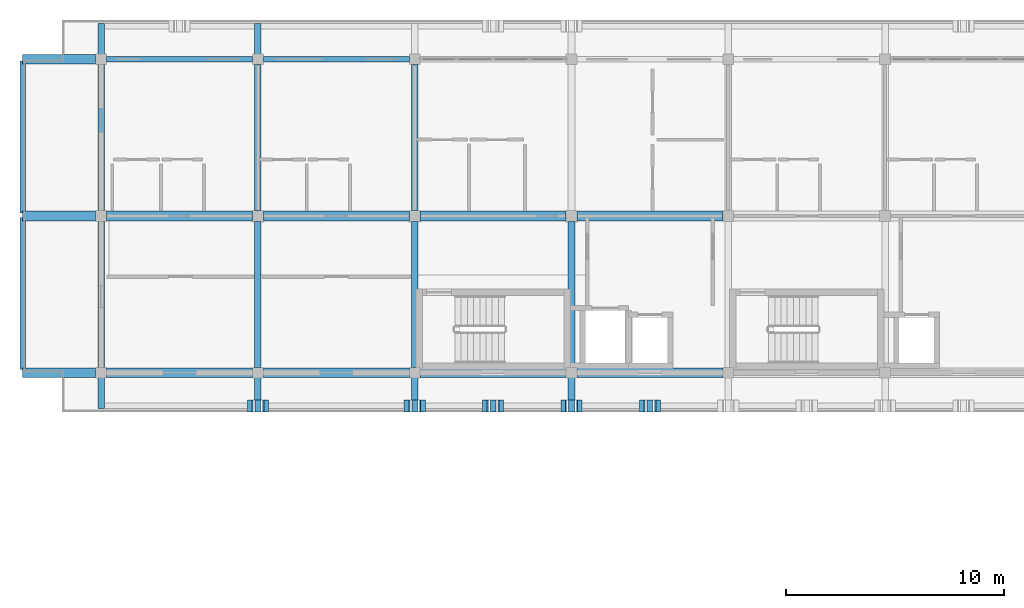
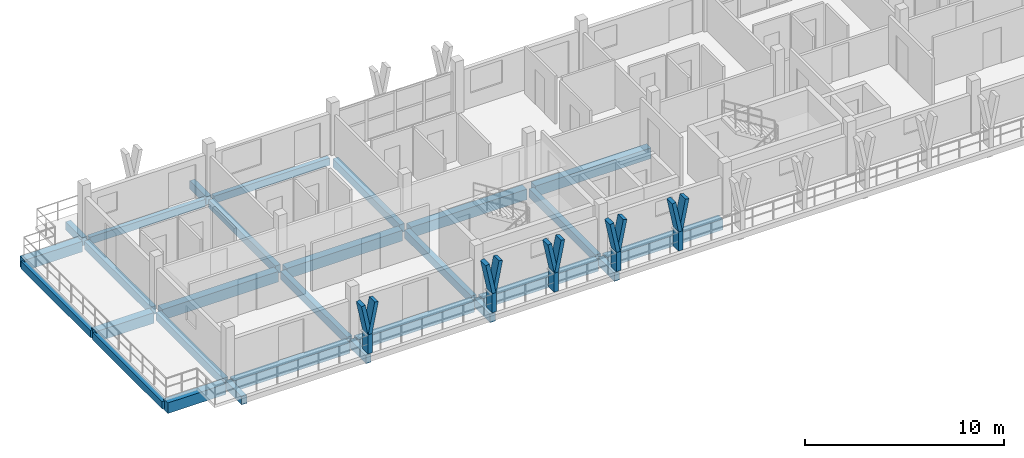
# One storey, part 3 of 32: 28 beams, 15 members.
"""IFC4 building model written with IfcOpenShell, lengths in metres."""

from ifc_helpers import new_model, si_unit, direction, frame, origin, origin_2d, place, context, subcontext, project, spatial, rectangle, extrude, material, material_profile, profile_set, type_object, element, save


model = new_model("IFC4")

# Units and contexts
model_context = context("Model", 3, precision=1e-05, world=origin(), true_north=direction((0.0, 1.0)))
body_context = subcontext(model_context, "Body", "Model", "MODEL_VIEW")
ifc_project = project(units=[si_unit("LENGTHUNIT", "METRE"), si_unit("AREAUNIT", "SQUARE_METRE"), si_unit("VOLUMEUNIT", "CUBIC_METRE"), si_unit("PLANEANGLEUNIT", "RADIAN"), si_unit("MASSUNIT", "GRAM", prefix="KILO")], contexts=[model_context])

# Site, building, storey
site_placement = place(None, origin())
site = spatial("IfcSite", under=ifc_project, at=site_placement, CompositionType="ELEMENT")
building_placement = place(site_placement, origin())
building = spatial("IfcBuilding", under=site, at=building_placement, Name="Suanplinth Sawtooth Commons", CompositionType="ELEMENT")
storey_placement = place(building_placement, frame((0.0, 0.0, 41.199951171875)))
storey = spatial("IfcBuildingStorey", under=building, at=storey_placement, Name="L12", CompositionType="ELEMENT", Elevation=41.199951171875)

# Beams
ifc_material_1 = material(Name="Precast concrete C40/50", Category="concrete")
ifc_material_profile_1 = material_profile(ifc_material_1, rectangle(XDim=0.449951171875, YDim=0.64990234375, at=origin_2d()), Name="PC-GDR 450x650")
ifc_profile_set_1 = profile_set([ifc_material_profile_1], Name="Precast concrete C40/50")
beam_type_1 = type_object("IfcBeamType", Name="B-04", PredefinedType="USERDEFINED", material=ifc_profile_set_1)
for number, where, z_axis, x_axis, name in (
    (1, (29.050048828125, 108.0, -0.534912109375), (1.0, 0.0, 0.0), (0.0, 1.0, 0.0), "BMX-L12-A-4-15"),
    (2, (29.050048828125, 115.199951171875, -0.534912109375), (1.0, 0.0, 0.0), (0.0, 1.0, 0.0), "BMX-L12-A-4-16"),
    (3, (36.25, 108.0, -0.534912109375), (1.0, 0.0, 0.0), (0.0, 1.0, 0.0), "BMX-L12-A-5-15"),
    (4, (36.25, 115.199951171875, -0.534912109375), (1.0, 0.0, 0.0), (0.0, 1.0, 0.0), "BMX-L12-A-5-16"),
    (5, (43.449951171875, 108.0, -0.534912109375), (1.0, 0.0, 0.0), (0.0, 1.0, 0.0), "BMX-L12-A-6-15"),
    (6, (43.449951171875, 115.199951171875, -0.534912109375), (1.0, 0.0, 0.0), (0.0, 1.0, 0.0), "BMX-L12-A-6-16"),
):
    element("IfcBeam", number, at=place(storey_placement, frame(where, z_axis=z_axis, x_axis=x_axis)), inside=storey, type_object=beam_type_1, Name=name, ObjectType="GIRDER", PredefinedType="USERDEFINED", context=body_context, shape_type="SweptSolid", body=[
        extrude(rectangle(XDim=0.449951171875, YDim=0.64990234375, at=origin_2d()), origin(), (0.0, 0.0, 1.0), 6.699951171875),
    ])
for number, where, z_axis, x_axis, name in (
    (7, (50.64990234375, 108.0, -0.534912109375), (1.0, 0.0, 0.0), (0.0, 1.0, 0.0), "BMX-L12-A-7-15"),
    (8, (50.64990234375, 115.199951171875, -0.534912109375), (1.0, 0.0, 0.0), (0.0, 1.0, 0.0), "BMX-L12-A-7-16"),
):
    element("IfcBeam", number, at=place(storey_placement, frame(where, z_axis=z_axis, x_axis=x_axis)), inside=storey, type_object=beam_type_1, Name=name, ObjectType="GIRDER", PredefinedType="USERDEFINED", context=body_context, shape_type="SweptSolid", body=[
        extrude(rectangle(XDim=0.449951171875, YDim=0.64990234375, at=origin_2d()), origin(), (0.0, 0.0, 1.0), 6.7001953125),
    ])
for number, where, z_axis, x_axis, name in (
    (9, (28.550048828125, 108.0, -0.534912109375), (-1.0, 0.0, 0.0), (0.0, -1.0, 0.0), "BMX-L12-A-WCANT-15"),
    (10, (28.550048828125, 115.199951171875, -0.534912109375), (-1.0, 0.0, 0.0), (0.0, -1.0, 0.0), "BMX-L12-A-WCANT-16"),
    (11, (28.550048828125, 122.39990234375, -0.534912109375), (-1.0, 0.0, 0.0), (0.0, -1.0, 0.0), "BMX-L12-A-WCANT-17"),
):
    element("IfcBeam", number, at=place(storey_placement, frame(where, z_axis=z_axis, x_axis=x_axis)), inside=storey, type_object=beam_type_1, Name=name, ObjectType="GIRDER", PredefinedType="USERDEFINED", context=body_context, shape_type="SweptSolid", body=[
        extrude(rectangle(XDim=0.449951171875, YDim=0.64990234375, at=origin_2d()), origin(), (0.0, 0.0, 1.0), 3.35009765625),
    ])
ifc_material_profile_2 = material_profile(ifc_material_1, rectangle(XDim=0.300048828125, YDim=0.5, at=origin_2d()), Name="PC-BM 300x500")
ifc_profile_set_2 = profile_set([ifc_material_profile_2], Name="Precast concrete C40/50")
beam_type_2 = type_object("IfcBeamType", Name="B-07", PredefinedType="BEAM", material=ifc_profile_set_2)
for number, where, z_axis, x_axis, name in (
    (12, (28.800048828125, 108.25, -0.4599609375), (0.0, 1.0, 0.0), (-1.0, 0.0, 0.0), "BMY-L12-A-4-15"),
    (13, (28.800048828125, 115.449951171875, -0.4599609375), (0.0, 1.0, 0.0), (-1.0, 0.0, 0.0), "BMY-L12-A-4-16"),
    (14, (36.0, 108.25, -0.4599609375), (0.0, 1.0, 0.0), (-1.0, 0.0, 0.0), "BMY-L12-A-5-15"),
    (15, (36.0, 115.449951171875, -0.4599609375), (0.0, 1.0, 0.0), (-1.0, 0.0, 0.0), "BMY-L12-A-5-16"),
    (16, (43.199951171875, 108.25, -0.4599609375), (0.0, 1.0, 0.0), (-1.0, 0.0, 0.0), "BMY-L12-A-6-15"),
    (17, (43.199951171875, 115.449951171875, -0.4599609375), (0.0, 1.0, 0.0), (-1.0, 0.0, 0.0), "BMY-L12-A-6-16"),
    (18, (50.39990234375, 108.25, -0.4599609375), (0.0, 1.0, 0.0), (-1.0, 0.0, 0.0), "BMY-L12-A-7-15"),
):
    element("IfcBeam", number, at=place(storey_placement, frame(where, z_axis=z_axis, x_axis=x_axis)), inside=storey, type_object=beam_type_2, Name=name, PredefinedType="BEAM", context=body_context, shape_type="SweptSolid", body=[
        extrude(rectangle(XDim=0.300048828125, YDim=0.5, at=origin_2d()), origin(), (0.0, 0.0, 1.0), 6.699951171875),
    ])
for number, where, z_axis, x_axis, name in (
    (19, (28.800048828125, 122.39990234375, -0.429931640625), (0.0, 1.0, 0.0), (-1.0, 0.0, 0.0), "Balcony Outrigger L12-A-N-4"),
    (20, (36.0, 122.39990234375, -0.429931640625), (0.0, 1.0, 0.0), (-1.0, 0.0, 0.0), "Balcony Outrigger L12-A-N-5"),
):
    element("IfcBeam", number, at=place(storey_placement, frame(where, z_axis=z_axis, x_axis=x_axis)), inside=storey, type_object=beam_type_2, Name=name, PredefinedType="BEAM", context=body_context, shape_type="SweptSolid", body=[
        extrude(rectangle(XDim=0.300048828125, YDim=0.5, at=origin_2d()), origin(), (0.0, 0.0, 1.0), 1.64013671875),
    ])
for number, where, z_axis, x_axis, name in (
    (21, (28.800048828125, 108.0, -0.429931640625), (0.0, -1.0, 0.0), (1.0, 0.0, 0.0), "Balcony Outrigger L12-A-S-4"),
    (22, (36.0, 108.0, -0.429931640625), (0.0, -1.0, 0.0), (1.0, 0.0, 0.0), "Balcony Outrigger L12-A-S-5"),
    (23, (43.199951171875, 108.0, -0.429931640625), (0.0, -1.0, 0.0), (1.0, 0.0, 0.0), "Balcony Outrigger L12-A-S-6"),
    (24, (50.39990234375, 108.0, -0.429931640625), (0.0, -1.0, 0.0), (1.0, 0.0, 0.0), "Balcony Outrigger L12-A-S-7"),
):
    element("IfcBeam", number, at=place(storey_placement, frame(where, z_axis=z_axis, x_axis=x_axis)), inside=storey, type_object=beam_type_2, Name=name, PredefinedType="BEAM", context=body_context, shape_type="SweptSolid", body=[
        extrude(rectangle(XDim=0.300048828125, YDim=0.5, at=origin_2d()), origin(), (0.0, 0.0, 1.0), 1.639892578125),
    ])
ifc_material_profile_3 = material_profile(ifc_material_1, rectangle(XDim=0.25, YDim=0.449951171875, at=origin_2d()), Name="PC-SP 250x450")
ifc_profile_set_3 = profile_set([ifc_material_profile_3], Name="Precast concrete C40/50")
beam_type_3 = type_object("IfcBeamType", Name="B-09", PredefinedType="SPANDREL", material=ifc_profile_set_3)
for number, where, z_axis, x_axis, name in (
    (25, (29.050048828125, 122.39990234375, -0.43505859375), (1.0, 0.0, 0.0), (0.0, 1.0, 0.0), "BMX-L12-A-4-17"),
    (26, (36.25, 122.39990234375, -0.43505859375), (1.0, 0.0, 0.0), (0.0, 1.0, 0.0), "BMX-L12-A-5-17"),
):
    element("IfcBeam", number, at=place(storey_placement, frame(where, z_axis=z_axis, x_axis=x_axis)), inside=storey, type_object=beam_type_3, Name=name, PredefinedType="SPANDREL", context=body_context, shape_type="SweptSolid", body=[
        extrude(rectangle(XDim=0.25, YDim=0.449951171875, at=origin_2d()), origin(), (0.0, 0.0, 1.0), 6.699951171875),
    ])
beam_1_placement = place(storey_placement, frame((25.199951171875, 108.139892578125, -0.534912109375), z_axis=(0.0, 1.0, 0.0), x_axis=(-1.0, 0.0, 0.0)))
element("IfcBeam", 27, at=beam_1_placement, inside=storey, type_object=beam_type_3, Name="BMY-L12-A-STEP-252-15", PredefinedType="SPANDREL", context=body_context, shape_type="SweptSolid", body=[
    extrude(rectangle(XDim=0.25, YDim=0.449951171875, at=origin_2d()), origin(), (0.0, 0.0, 1.0), 6.980224609375),
])
beam_2_placement = place(storey_placement, frame((25.199951171875, 115.340087890625, -0.534912109375), z_axis=(0.0, 1.0, 0.0), x_axis=(-1.0, 0.0, 0.0)))
element("IfcBeam", 28, at=beam_2_placement, inside=storey, type_object=beam_type_3, Name="BMY-L12-A-STEP-252-16", PredefinedType="SPANDREL", context=body_context, shape_type="SweptSolid", body=[
    extrude(rectangle(XDim=0.25, YDim=0.449951171875, at=origin_2d()), origin(), (0.0, 0.0, 1.0), 6.97998046875),
])

# Members
ifc_material_2 = material(Name="Pigmented precast concrete C40/50", Category="concrete")
ifc_material_profile_4 = material_profile(ifc_material_2, rectangle(XDim=0.260009765625, YDim=0.550048828125, at=origin_2d()), Name="PC-FIN 260x550")
ifc_profile_set_4 = profile_set([ifc_material_profile_4], Name="Pigmented precast concrete C40/50")
member_type_1 = type_object("IfcMemberType", Name="M-09", PredefinedType="USERDEFINED", material=ifc_profile_set_4)
for number, where, z_axis, x_axis, name in (
    (29, (36.0, 106.47998046875, 0.0), (0.0, 0.0, 1.0), (1.0, 0.0, 0.0), "Y-Blade Stem L12-A-S-07"),
    (30, (43.199951171875, 106.47998046875, 0.0), (0.0, 0.0, 1.0), (1.0, 0.0, 0.0), "Y-Blade Stem L12-A-S-08"),
    (31, (46.800048828125, 106.47998046875, 0.0), (0.0, 0.0, 1.0), (1.0, 0.0, 0.0), "Y-Blade Stem L12-A-S-09"),
    (32, (50.39990234375, 106.47998046875, 0.0), (0.0, 0.0, 1.0), (1.0, 0.0, 0.0), "Y-Blade Stem L12-A-S-10"),
    (33, (54.0, 106.47998046875, 0.0), (0.0, 0.0, 1.0), (1.0, 0.0, 0.0), "Y-Blade Stem L12-A-S-11"),
):
    element("IfcMember", number, at=place(storey_placement, frame(where, z_axis=z_axis, x_axis=x_axis)), inside=storey, type_object=member_type_1, Name=name, ObjectType="SHADING FIN", PredefinedType="USERDEFINED", context=body_context, shape_type="SweptSolid", body=[
        extrude(rectangle(XDim=0.260009765625, YDim=0.550048828125, at=origin_2d()), origin(), (0.0, 0.0, 1.0), 1.170166015625),
    ])
ifc_material_profile_5 = material_profile(ifc_material_2, rectangle(XDim=0.219970703125, YDim=0.550048828125, at=origin_2d()), Name="PC-FIN 220x550")
ifc_profile_set_5 = profile_set([ifc_material_profile_5], Name="Pigmented precast concrete C40/50")
member_type_2 = type_object("IfcMemberType", Name="M-10", PredefinedType="USERDEFINED", material=ifc_profile_set_5)
for number, where, z_axis, x_axis, name in (
    (34, (36.0, 106.47998046875, 1.130126953125), (-0.196431120402, 0.0, 0.980517626021), (0.980517626021, 0.0, 0.196431120402), "Y-Blade Arm L L12-A-S-07"),
    (35, (36.0, 106.47998046875, 1.130126953125), (0.196431120402, 0.0, 0.980517626021), (-0.980517626021, 0.0, 0.196431120402), "Y-Blade Arm R L12-A-S-07"),
):
    element("IfcMember", number, at=place(storey_placement, frame(where, z_axis=z_axis, x_axis=x_axis)), inside=storey, type_object=member_type_2, Name=name, ObjectType="SHADING FIN", PredefinedType="USERDEFINED", context=body_context, shape_type="SweptSolid", body=[
        extrude(rectangle(XDim=0.219970703125, YDim=0.550048828125, at=origin_2d()), origin(), (0.0, 0.0, 1.0), 1.937744140625),
    ])
member_placement = place(storey_placement, frame((43.199951171875, 106.47998046875, 1.130126953125), z_axis=(-0.196309979414, 0.0, 0.980541886909), x_axis=(0.980541886909, 0.0, 0.196309979414)))
element("IfcMember", 36, at=member_placement, inside=storey, type_object=member_type_2, Name="Y-Blade Arm L L12-A-S-08", ObjectType="SHADING FIN", PredefinedType="USERDEFINED", context=body_context, shape_type="SweptSolid", body=[
    extrude(rectangle(XDim=0.219970703125, YDim=0.550048828125, at=origin_2d()), origin(), (0.0, 0.0, 1.0), 1.9375),
])
for number, where, z_axis, x_axis, name in (
    (37, (43.199951171875, 106.47998046875, 1.130126953125), (0.196431120402, 0.0, 0.980517626021), (-0.980517626021, 0.0, 0.196431120402), "Y-Blade Arm R L12-A-S-08"),
    (38, (46.800048828125, 106.47998046875, 1.130126953125), (-0.196431120402, 0.0, 0.980517626021), (0.980517626021, 0.0, 0.196431120402), "Y-Blade Arm L L12-A-S-09"),
):
    element("IfcMember", number, at=place(storey_placement, frame(where, z_axis=z_axis, x_axis=x_axis)), inside=storey, type_object=member_type_2, Name=name, ObjectType="SHADING FIN", PredefinedType="USERDEFINED", context=body_context, shape_type="SweptSolid", body=[
        extrude(rectangle(XDim=0.219970703125, YDim=0.550048828125, at=origin_2d()), origin(), (0.0, 0.0, 1.0), 1.937744140625),
    ])
for number, where, z_axis, x_axis, name in (
    (39, (46.800048828125, 106.47998046875, 1.130126953125), (0.196309979414, 0.0, 0.980541886909), (-0.980541886909, 0.0, 0.196309979414), "Y-Blade Arm R L12-A-S-09"),
    (40, (50.39990234375, 106.47998046875, 1.130126953125), (-0.196309979414, 0.0, 0.980541886909), (0.980541886909, 0.0, 0.196309979414), "Y-Blade Arm L L12-A-S-10"),
):
    element("IfcMember", number, at=place(storey_placement, frame(where, z_axis=z_axis, x_axis=x_axis)), inside=storey, type_object=member_type_2, Name=name, ObjectType="SHADING FIN", PredefinedType="USERDEFINED", context=body_context, shape_type="SweptSolid", body=[
        extrude(rectangle(XDim=0.219970703125, YDim=0.550048828125, at=origin_2d()), origin(), (0.0, 0.0, 1.0), 1.9375),
    ])
for number, where, z_axis, x_axis, name in (
    (41, (50.39990234375, 106.47998046875, 1.130126953125), (0.196431120402, 0.0, 0.980517626021), (-0.980517626021, 0.0, 0.196431120402), "Y-Blade Arm R L12-A-S-10"),
    (42, (54.0, 106.47998046875, 1.130126953125), (-0.196431120402, 0.0, 0.980517626021), (0.980517626021, 0.0, 0.196431120402), "Y-Blade Arm L L12-A-S-11"),
    (43, (54.0, 106.47998046875, 1.130126953125), (0.196431120402, 0.0, 0.980517626021), (-0.980517626021, 0.0, 0.196431120402), "Y-Blade Arm R L12-A-S-11"),
):
    element("IfcMember", number, at=place(storey_placement, frame(where, z_axis=z_axis, x_axis=x_axis)), inside=storey, type_object=member_type_2, Name=name, ObjectType="SHADING FIN", PredefinedType="USERDEFINED", context=body_context, shape_type="SweptSolid", body=[
        extrude(rectangle(XDim=0.219970703125, YDim=0.550048828125, at=origin_2d()), origin(), (0.0, 0.0, 1.0), 1.937744140625),
    ])

save(model, "model.ifc")
